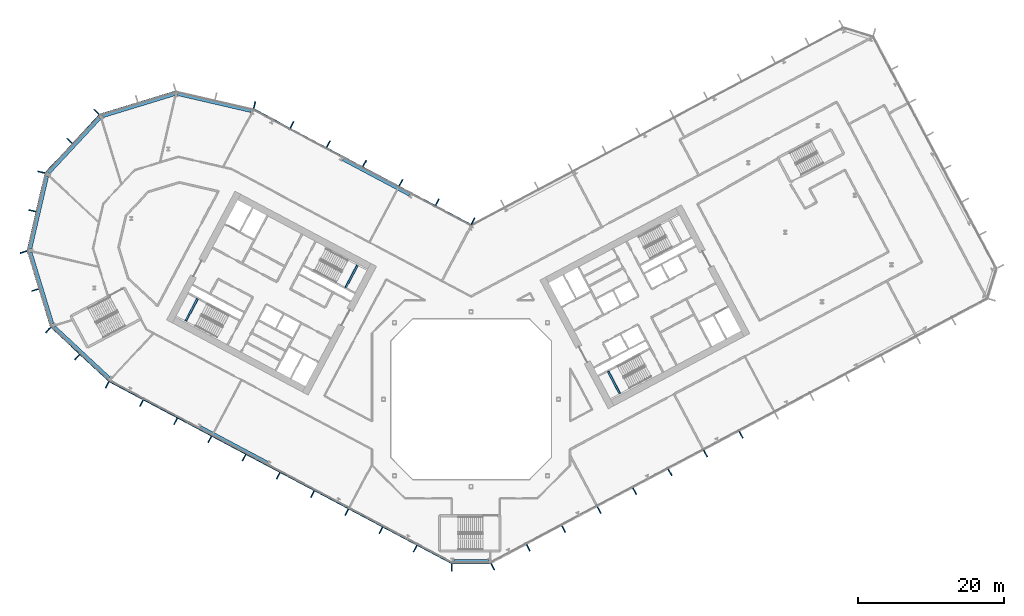
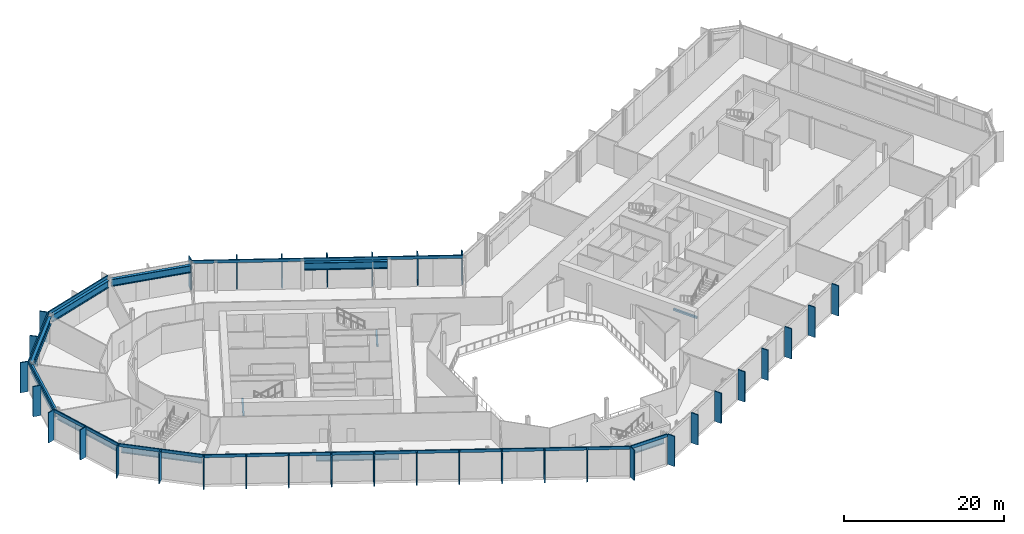
# One storey, part 7 of 30: 42 members, 12 beams, 10 elements without a shape of their own.
"""IFC4 building model written with IfcOpenShell, lengths in metres."""

from ifc_helpers import new_model, si_unit, direction, frame, origin, origin_2d, place, context, subcontext, project, spatial, rectangle, i_section, extrude, material, layer, layer_set, material_profile, profile_set, type_object, element, aggregate, save


model = new_model("IFC4")

# Units and contexts
model_context = context("Model", 3, precision=1e-05, world=origin(), true_north=direction((0.0, 1.0)))
body_context = subcontext(model_context, "Body", "Model", "MODEL_VIEW")
ifc_project = project(units=[si_unit("LENGTHUNIT", "METRE"), si_unit("AREAUNIT", "SQUARE_METRE"), si_unit("VOLUMEUNIT", "CUBIC_METRE"), si_unit("PLANEANGLEUNIT", "RADIAN"), si_unit("MASSUNIT", "GRAM", prefix="KILO")], contexts=[model_context])

# Site, building, storey
site_placement = place(None, origin())
site = spatial("IfcSite", under=ifc_project, at=site_placement, CompositionType="ELEMENT")
building_placement = place(site_placement, origin())
building = spatial("IfcBuilding", under=site, at=building_placement, Name="Cormorant Relay Tower", CompositionType="ELEMENT")
storey_placement = place(building_placement, frame((0.0, 0.0, 89.199951171875)))
storey = spatial("IfcBuildingStorey", under=building, at=storey_placement, Name="L17", CompositionType="ELEMENT", Elevation=89.199951171875)

# Curtain wall, member
ifc_material_1 = material(Name="Aluminium 6063-T6 anodised bronze", Category="aluminium")
ifc_layer = layer(ifc_material_1, 0.199951171875)
ifc_layer_set = layer_set([ifc_layer], Name="CW1 unitised bronze curtain wall with vertical fins")
curtain_wall_type = type_object("IfcCurtainWallType", Name="CW1 unitised bronze curtain wall with vertical fins", PredefinedType="NOTDEFINED", material=ifc_layer_set)
curtain_wall_1_placement = place(storey_placement, origin())
curtain_wall_1 = element("IfcCurtainWall", 1, at=curtain_wall_1_placement, inside=storey, type_object=curtain_wall_type, Name="CW1 curtain wall 1", PredefinedType="NOTDEFINED")
ifc_material_2 = material(Name="Aluminium 6063-T6 anodised bronze", Category="aluminium")
ifc_material_profile_1 = material_profile(ifc_material_2, rectangle(XDim=0.14990234375, YDim=1.0, at=origin_2d()), Name="AL 150x1000")
ifc_profile_set_1 = profile_set([ifc_material_profile_1], Name="Aluminium 6063-T6 anodised bronze")
member_type_1 = type_object("IfcMemberType", Name="CW1 bronze fin mullion 150 x 1000", PredefinedType="MULLION", material=ifc_profile_set_1)
member_1_placement = place(storey_placement, frame((-2.648681640625, -23.07568359375, 0.0), z_axis=(0.0, 0.0, 1.0), x_axis=(1.0, 0.0, 0.0)))
member_1 = element("IfcMember", 2, at=member_1_placement, type_object=member_type_1, Name="CW1 fin 1.1", PredefinedType="MULLION", context=body_context, shape_type="SweptSolid", body=[
    extrude(rectangle(XDim=0.14990234375, YDim=1.0, at=origin_2d()), origin(), (0.0, 0.0, 1.0), 4.60009765625),
])

# Curtain wall, members
curtain_wall_2_placement = place(storey_placement, origin())
curtain_wall_2 = element("IfcCurtainWall", 3, at=curtain_wall_2_placement, inside=storey, type_object=curtain_wall_type, Name="CW1 curtain wall 2", PredefinedType="NOTDEFINED")
member_2_placement = place(storey_placement, frame((2.9775390625, -22.99365234375, 0.0), z_axis=(0.0, 0.0, 1.0), x_axis=(0.882947592859, 0.469471562786, 0.0)))
member_2 = element("IfcMember", 4, at=member_2_placement, type_object=member_type_1, Name="CW1 fin 2.1", PredefinedType="MULLION", context=body_context, shape_type="SweptSolid", body=[
    extrude(rectangle(XDim=0.14990234375, YDim=1.0, at=origin_2d()), origin(), (0.0, 0.0, 1.0), 4.60009765625),
])
member_3_placement = place(storey_placement, frame((7.843994140625, -20.406005859375, 0.0), z_axis=(0.0, 0.0, 1.0), x_axis=(0.882947592859, 0.469471562786, 0.0)))
member_3 = element("IfcMember", 5, at=member_3_placement, type_object=member_type_1, Name="CW1 fin 2.2", PredefinedType="MULLION", context=body_context, shape_type="SweptSolid", body=[
    extrude(rectangle(XDim=0.14990234375, YDim=1.0, at=origin_2d()), origin(), (0.0, 0.0, 1.0), 4.60009765625),
])
member_4_placement = place(storey_placement, frame((12.710693359375, -17.818359375, 0.0), z_axis=(0.0, 0.0, 1.0), x_axis=(0.882947592859, 0.469471562786, 0.0)))
member_4 = element("IfcMember", 6, at=member_4_placement, type_object=member_type_1, Name="CW1 fin 2.3", PredefinedType="MULLION", context=body_context, shape_type="SweptSolid", body=[
    extrude(rectangle(XDim=0.14990234375, YDim=1.0, at=origin_2d()), origin(), (0.0, 0.0, 1.0), 4.60009765625),
])
member_5_placement = place(storey_placement, frame((17.577392578125, -15.230712890625, 0.0), z_axis=(0.0, 0.0, 1.0), x_axis=(0.882947592859, 0.469471562786, 0.0)))
member_5 = element("IfcMember", 7, at=member_5_placement, type_object=member_type_1, Name="CW1 fin 2.4", PredefinedType="MULLION", context=body_context, shape_type="SweptSolid", body=[
    extrude(rectangle(XDim=0.14990234375, YDim=1.0, at=origin_2d()), origin(), (0.0, 0.0, 1.0), 4.60009765625),
])
member_6_placement = place(storey_placement, frame((22.444091796875, -12.64306640625, 0.0), z_axis=(0.0, 0.0, 1.0), x_axis=(0.882947592859, 0.469471562786, 0.0)))
member_6 = element("IfcMember", 8, at=member_6_placement, type_object=member_type_1, Name="CW1 fin 2.5", PredefinedType="MULLION", context=body_context, shape_type="SweptSolid", body=[
    extrude(rectangle(XDim=0.14990234375, YDim=1.0, at=origin_2d()), origin(), (0.0, 0.0, 1.0), 4.60009765625),
])
member_7_placement = place(storey_placement, frame((27.310791015625, -10.055419921875, 0.0), z_axis=(0.0, 0.0, 1.0), x_axis=(0.882947592859, 0.469471562786, 0.0)))
member_7 = element("IfcMember", 9, at=member_7_placement, type_object=member_type_1, Name="CW1 fin 2.6", PredefinedType="MULLION", context=body_context, shape_type="SweptSolid", body=[
    extrude(rectangle(XDim=0.14990234375, YDim=1.0, at=origin_2d()), origin(), (0.0, 0.0, 1.0), 4.60009765625),
])
member_8_placement = place(storey_placement, frame((32.177490234375, -7.4677734375, 0.0), z_axis=(0.0, 0.0, 1.0), x_axis=(0.882947592859, 0.469471562786, 0.0)))
member_8 = element("IfcMember", 10, at=member_8_placement, type_object=member_type_1, Name="CW1 fin 2.7", PredefinedType="MULLION", context=body_context, shape_type="SweptSolid", body=[
    extrude(rectangle(XDim=0.14990234375, YDim=1.0, at=origin_2d()), origin(), (0.0, 0.0, 1.0), 4.60009765625),
])
member_9_placement = place(storey_placement, frame((37.044189453125, -4.8798828125, 0.0), z_axis=(0.0, 0.0, 1.0), x_axis=(0.882947592859, 0.469471562786, 0.0)))
member_9 = element("IfcMember", 11, at=member_9_placement, type_object=member_type_1, Name="CW1 fin 2.8", PredefinedType="MULLION", context=body_context, shape_type="SweptSolid", body=[
    extrude(rectangle(XDim=0.14990234375, YDim=1.0, at=origin_2d()), origin(), (0.0, 0.0, 1.0), 4.60009765625),
])
aggregate(curtain_wall_2, [member_2, member_3, member_4, member_5, member_6, member_7, member_8, member_9])

curtain_wall_3_placement = place(storey_placement, origin())
curtain_wall_3 = element("IfcCurtainWall", 12, at=curtain_wall_3_placement, inside=storey, type_object=curtain_wall_type, Name="CW1 curtain wall 7", PredefinedType="NOTDEFINED")
member_10_placement = place(storey_placement, frame((0.262451171875, 24.437255859375, 0.0), z_axis=(0.0, 0.0, 1.0), x_axis=(-0.882947592859, 0.469471562786, 0.0)))
member_10 = element("IfcMember", 13, at=member_10_placement, type_object=member_type_1, Name="CW1 fin 7.1", PredefinedType="MULLION", context=body_context, shape_type="SweptSolid", body=[
    extrude(rectangle(XDim=0.14990234375, YDim=1.0, at=origin_2d()), origin(), (0.0, 0.0, 1.0), 4.60009765625),
])
member_11_placement = place(storey_placement, frame((-4.650390625, 27.04931640625, 0.0), z_axis=(0.0, 0.0, 1.0), x_axis=(-0.882947592859, 0.469471562786, 0.0)))
member_11 = element("IfcMember", 14, at=member_11_placement, type_object=member_type_1, Name="CW1 fin 7.2", PredefinedType="MULLION", context=body_context, shape_type="SweptSolid", body=[
    extrude(rectangle(XDim=0.14990234375, YDim=1.0, at=origin_2d()), origin(), (0.0, 0.0, 1.0), 4.60009765625),
])
member_12_placement = place(storey_placement, frame((-9.62939453125, 29.69677734375, 0.0), z_axis=(0.0, 0.0, 1.0), x_axis=(-0.882947592859, 0.469471562786, 0.0)))
member_12 = element("IfcMember", 15, at=member_12_placement, type_object=member_type_1, Name="CW1 fin 7.3", PredefinedType="MULLION", context=body_context, shape_type="SweptSolid", body=[
    extrude(rectangle(XDim=0.14990234375, YDim=1.0, at=origin_2d()), origin(), (0.0, 0.0, 1.0), 4.60009765625),
])
member_13_placement = place(storey_placement, frame((-14.608154296875, 32.343994140625, 0.0), z_axis=(0.0, 0.0, 1.0), x_axis=(-0.882947592859, 0.469471562786, 0.0)))
member_13 = element("IfcMember", 16, at=member_13_placement, type_object=member_type_1, Name="CW1 fin 7.4", PredefinedType="MULLION", context=body_context, shape_type="SweptSolid", body=[
    extrude(rectangle(XDim=0.14990234375, YDim=1.0, at=origin_2d()), origin(), (0.0, 0.0, 1.0), 4.60009765625),
])
member_14_placement = place(storey_placement, frame((-19.587158203125, 34.991455078125, 0.0), z_axis=(0.0, 0.0, 1.0), x_axis=(-0.882947592859, 0.469471562786, 0.0)))
member_14 = element("IfcMember", 17, at=member_14_placement, type_object=member_type_1, Name="CW1 fin 7.5", PredefinedType="MULLION", context=body_context, shape_type="SweptSolid", body=[
    extrude(rectangle(XDim=0.14990234375, YDim=1.0, at=origin_2d()), origin(), (0.0, 0.0, 1.0), 4.60009765625),
])
member_15_placement = place(storey_placement, frame((-24.566162109375, 37.638916015625, 0.0), z_axis=(0.0, 0.0, 1.0), x_axis=(-0.882947592859, 0.469471562786, 0.0)))
member_15 = element("IfcMember", 18, at=member_15_placement, type_object=member_type_1, Name="CW1 fin 7.6", PredefinedType="MULLION", context=body_context, shape_type="SweptSolid", body=[
    extrude(rectangle(XDim=0.14990234375, YDim=1.0, at=origin_2d()), origin(), (0.0, 0.0, 1.0), 4.60009765625),
])

# Curtain wall, member
curtain_wall_4_placement = place(storey_placement, origin())
curtain_wall_4 = element("IfcCurtainWall", 19, at=curtain_wall_4_placement, inside=storey, type_object=curtain_wall_type, Name="CW1 curtain wall 8", PredefinedType="NOTDEFINED")
member_16_placement = place(storey_placement, frame((-29.71630859375, 40.35009765625, 0.0), z_axis=(0.0, 0.0, 1.0), x_axis=(-0.974370064785, 0.224951054344, 0.0)))
member_16 = element("IfcMember", 20, at=member_16_placement, type_object=member_type_1, Name="CW1 fin 8.1", PredefinedType="MULLION", context=body_context, shape_type="SweptSolid", body=[
    extrude(rectangle(XDim=0.14990234375, YDim=1.0, at=origin_2d()), origin(), (0.0, 0.0, 1.0), 4.60009765625),
])
aggregate(curtain_wall_4, [member_16])

# Curtain wall, members
curtain_wall_5_placement = place(storey_placement, origin())
curtain_wall_5 = element("IfcCurtainWall", 21, at=curtain_wall_5_placement, inside=storey, type_object=curtain_wall_type, Name="CW1 curtain wall 10", PredefinedType="NOTDEFINED")
member_17_placement = place(storey_placement, frame((-51.372802734375, 39.41259765625, 0.0), z_axis=(0.0, 0.0, 1.0), x_axis=(-0.681998360062, -0.731353701619, 0.0)))
member_17 = element("IfcMember", 22, at=member_17_placement, type_object=member_type_1, Name="CW1 fin 10.1", PredefinedType="MULLION", context=body_context, shape_type="SweptSolid", body=[
    extrude(rectangle(XDim=0.14990234375, YDim=1.0, at=origin_2d()), origin(), (0.0, 0.0, 1.0), 4.60009765625),
])
member_18_placement = place(storey_placement, frame((-55.07958984375, 35.4375, 0.0), z_axis=(0.0, 0.0, 1.0), x_axis=(-0.681998360062, -0.731353701619, 0.0)))
member_18 = element("IfcMember", 23, at=member_18_placement, type_object=member_type_1, Name="CW1 fin 10.2", PredefinedType="MULLION", context=body_context, shape_type="SweptSolid", body=[
    extrude(rectangle(XDim=0.14990234375, YDim=1.0, at=origin_2d()), origin(), (0.0, 0.0, 1.0), 4.60009765625),
])

curtain_wall_6_placement = place(storey_placement, origin())
curtain_wall_6 = element("IfcCurtainWall", 24, at=curtain_wall_6_placement, inside=storey, type_object=curtain_wall_type, Name="CW1 curtain wall 11", PredefinedType="NOTDEFINED")
member_19_placement = place(storey_placement, frame((-58.95654296875, 31.142578125, 0.0), z_axis=(0.0, 0.0, 1.0), x_axis=(-0.224951054344, -0.974370064785, 0.0)))
member_19 = element("IfcMember", 25, at=member_19_placement, type_object=member_type_1, Name="CW1 fin 11.1", PredefinedType="MULLION", context=body_context, shape_type="SweptSolid", body=[
    extrude(rectangle(XDim=0.14990234375, YDim=1.0, at=origin_2d()), origin(), (0.0, 0.0, 1.0), 4.60009765625),
])
member_20_placement = place(storey_placement, frame((-60.17919921875, 25.8466796875, 0.0), z_axis=(0.0, 0.0, 1.0), x_axis=(-0.224951054344, -0.974370064785, 0.0)))
member_20 = element("IfcMember", 26, at=member_20_placement, type_object=member_type_1, Name="CW1 fin 11.2", PredefinedType="MULLION", context=body_context, shape_type="SweptSolid", body=[
    extrude(rectangle(XDim=0.14990234375, YDim=1.0, at=origin_2d()), origin(), (0.0, 0.0, 1.0), 4.60009765625),
])

curtain_wall_7_placement = place(storey_placement, origin())
curtain_wall_7 = element("IfcCurtainWall", 27, at=curtain_wall_7_placement, inside=storey, type_object=curtain_wall_type, Name="CW1 curtain wall 12", PredefinedType="NOTDEFINED")
member_21_placement = place(storey_placement, frame((-61.389404296875, 20.188720703125, 0.0), z_axis=(0.0, 0.0, 1.0), x_axis=(0.292371704723, -0.956304755963, 0.0)))
member_21 = element("IfcMember", 28, at=member_21_placement, type_object=member_type_1, Name="CW1 fin 12.1", PredefinedType="MULLION", context=body_context, shape_type="SweptSolid", body=[
    extrude(rectangle(XDim=0.14990234375, YDim=1.0, at=origin_2d()), origin(), (0.0, 0.0, 1.0), 4.60009765625),
])
member_22_placement = place(storey_placement, frame((-59.80029296875, 14.990966796875, 0.0), z_axis=(0.0, 0.0, 1.0), x_axis=(0.292371704723, -0.956304755963, 0.0)))
member_22 = element("IfcMember", 29, at=member_22_placement, type_object=member_type_1, Name="CW1 fin 12.2", PredefinedType="MULLION", context=body_context, shape_type="SweptSolid", body=[
    extrude(rectangle(XDim=0.14990234375, YDim=1.0, at=origin_2d()), origin(), (0.0, 0.0, 1.0), 4.60009765625),
])

curtain_wall_8_placement = place(storey_placement, origin())
curtain_wall_8 = element("IfcCurtainWall", 30, at=curtain_wall_8_placement, inside=storey, type_object=curtain_wall_type, Name="CW1 curtain wall 13", PredefinedType="NOTDEFINED")
member_23_placement = place(storey_placement, frame((-58.01904296875, 9.486083984375, 0.0), z_axis=(0.0, 0.0, 1.0), x_axis=(0.731353701619, -0.681998360062, 0.0)))
member_23 = element("IfcMember", 31, at=member_23_placement, type_object=member_type_1, Name="CW1 fin 13.1", PredefinedType="MULLION", context=body_context, shape_type="SweptSolid", body=[
    extrude(rectangle(XDim=0.14990234375, YDim=1.0, at=origin_2d()), origin(), (0.0, 0.0, 1.0), 4.60009765625),
])
member_24_placement = place(storey_placement, frame((-54.0439453125, 5.779296875, 0.0), z_axis=(0.0, 0.0, 1.0), x_axis=(0.731353701619, -0.681998360062, 0.0)))
member_24 = element("IfcMember", 32, at=member_24_placement, type_object=member_type_1, Name="CW1 fin 13.2", PredefinedType="MULLION", context=body_context, shape_type="SweptSolid", body=[
    extrude(rectangle(XDim=0.14990234375, YDim=1.0, at=origin_2d()), origin(), (0.0, 0.0, 1.0), 4.60009765625),
])

curtain_wall_9_placement = place(storey_placement, origin())
curtain_wall_9 = element("IfcCurtainWall", 33, at=curtain_wall_9_placement, inside=storey, type_object=curtain_wall_type, Name="CW1 curtain wall 14", PredefinedType="NOTDEFINED")
member_25_placement = place(storey_placement, frame((-49.920166015625, 1.96630859375, 0.0), z_axis=(0.0, 0.0, 1.0), x_axis=(0.882947592859, -0.469471562786, 0.0)))
member_25 = element("IfcMember", 34, at=member_25_placement, type_object=member_type_1, Name="CW1 fin 14.1", PredefinedType="MULLION", context=body_context, shape_type="SweptSolid", body=[
    extrude(rectangle(XDim=0.14990234375, YDim=1.0, at=origin_2d()), origin(), (0.0, 0.0, 1.0), 4.60009765625),
])
member_26_placement = place(storey_placement, frame((-45.225830078125, -0.52978515625, 0.0), z_axis=(0.0, 0.0, 1.0), x_axis=(0.882947592859, -0.469471562786, 0.0)))
member_26 = element("IfcMember", 35, at=member_26_placement, type_object=member_type_1, Name="CW1 fin 14.2", PredefinedType="MULLION", context=body_context, shape_type="SweptSolid", body=[
    extrude(rectangle(XDim=0.14990234375, YDim=1.0, at=origin_2d()), origin(), (0.0, 0.0, 1.0), 4.60009765625),
])
member_27_placement = place(storey_placement, frame((-40.531494140625, -3.025634765625, 0.0), z_axis=(0.0, 0.0, 1.0), x_axis=(0.882947592859, -0.469471562786, 0.0)))
member_27 = element("IfcMember", 36, at=member_27_placement, type_object=member_type_1, Name="CW1 fin 14.3", PredefinedType="MULLION", context=body_context, shape_type="SweptSolid", body=[
    extrude(rectangle(XDim=0.14990234375, YDim=1.0, at=origin_2d()), origin(), (0.0, 0.0, 1.0), 4.60009765625),
])
member_28_placement = place(storey_placement, frame((-35.83740234375, -5.521728515625, 0.0), z_axis=(0.0, 0.0, 1.0), x_axis=(0.882947592859, -0.469471562786, 0.0)))
member_28 = element("IfcMember", 37, at=member_28_placement, type_object=member_type_1, Name="CW1 fin 14.4", PredefinedType="MULLION", context=body_context, shape_type="SweptSolid", body=[
    extrude(rectangle(XDim=0.14990234375, YDim=1.0, at=origin_2d()), origin(), (0.0, 0.0, 1.0), 4.60009765625),
])
member_29_placement = place(storey_placement, frame((-31.14306640625, -8.017578125, 0.0), z_axis=(0.0, 0.0, 1.0), x_axis=(0.882947592859, -0.469471562786, 0.0)))
member_29 = element("IfcMember", 38, at=member_29_placement, type_object=member_type_1, Name="CW1 fin 14.5", PredefinedType="MULLION", context=body_context, shape_type="SweptSolid", body=[
    extrude(rectangle(XDim=0.14990234375, YDim=1.0, at=origin_2d()), origin(), (0.0, 0.0, 1.0), 4.60009765625),
])
member_30_placement = place(storey_placement, frame((-26.44873046875, -10.513671875, 0.0), z_axis=(0.0, 0.0, 1.0), x_axis=(0.882947592859, -0.469471562786, 0.0)))
member_30 = element("IfcMember", 39, at=member_30_placement, type_object=member_type_1, Name="CW1 fin 14.6", PredefinedType="MULLION", context=body_context, shape_type="SweptSolid", body=[
    extrude(rectangle(XDim=0.14990234375, YDim=1.0, at=origin_2d()), origin(), (0.0, 0.0, 1.0), 4.60009765625),
])
member_31_placement = place(storey_placement, frame((-21.754638671875, -13.009765625, 0.0), z_axis=(0.0, 0.0, 1.0), x_axis=(0.882947592859, -0.469471562786, 0.0)))
member_31 = element("IfcMember", 40, at=member_31_placement, type_object=member_type_1, Name="CW1 fin 14.7", PredefinedType="MULLION", context=body_context, shape_type="SweptSolid", body=[
    extrude(rectangle(XDim=0.14990234375, YDim=1.0, at=origin_2d()), origin(), (0.0, 0.0, 1.0), 4.60009765625),
])
member_32_placement = place(storey_placement, frame((-17.060302734375, -15.505615234375, 0.0), z_axis=(0.0, 0.0, 1.0), x_axis=(0.882947592859, -0.469471562786, 0.0)))
member_32 = element("IfcMember", 41, at=member_32_placement, type_object=member_type_1, Name="CW1 fin 14.8", PredefinedType="MULLION", context=body_context, shape_type="SweptSolid", body=[
    extrude(rectangle(XDim=0.14990234375, YDim=1.0, at=origin_2d()), origin(), (0.0, 0.0, 1.0), 4.60009765625),
])
member_33_placement = place(storey_placement, frame((-12.365966796875, -18.001708984375, 0.0), z_axis=(0.0, 0.0, 1.0), x_axis=(0.882947592859, -0.469471562786, 0.0)))
member_33 = element("IfcMember", 42, at=member_33_placement, type_object=member_type_1, Name="CW1 fin 14.9", PredefinedType="MULLION", context=body_context, shape_type="SweptSolid", body=[
    extrude(rectangle(XDim=0.14990234375, YDim=1.0, at=origin_2d()), origin(), (0.0, 0.0, 1.0), 4.60009765625),
])
member_34_placement = place(storey_placement, frame((-7.671630859375, -20.49755859375, 0.0), z_axis=(0.0, 0.0, 1.0), x_axis=(0.882947592859, -0.469471562786, 0.0)))
member_34 = element("IfcMember", 43, at=member_34_placement, type_object=member_type_1, Name="CW1 fin 14.10", PredefinedType="MULLION", context=body_context, shape_type="SweptSolid", body=[
    extrude(rectangle(XDim=0.14990234375, YDim=1.0, at=origin_2d()), origin(), (0.0, 0.0, 1.0), 4.60009765625),
])

# Member
ifc_material_3 = material(Name="Aluminium 6063-T6 anodised bronze", Category="aluminium")
ifc_material_profile_2 = material_profile(ifc_material_3, rectangle(XDim=0.159912109375, YDim=0.449951171875, at=origin_2d()), Name="AL 160x450")
ifc_profile_set_2 = profile_set([ifc_material_profile_2], Name="Aluminium 6063-T6 anodised bronze")
member_type_2 = type_object("IfcMemberType", Name="CW1 bronze transom 160 x 450", PredefinedType="USERDEFINED", material=ifc_profile_set_2)
member_35_placement = place(storey_placement, frame((-2.648681640625, -22.49560546875, 4.375), z_axis=(1.0, 0.0, 0.0), x_axis=(0.0, 1.0, 0.0)))
member_35 = element("IfcMember", 44, at=member_35_placement, type_object=member_type_2, Name="CW1 transom 1", ObjectType="TRANSOM", PredefinedType="USERDEFINED", context=body_context, shape_type="SweptSolid", body=[
    extrude(rectangle(XDim=0.159912109375, YDim=0.449951171875, at=origin_2d()), origin(), (0.0, 0.0, 1.0), 5.29736328125),
])

aggregate(curtain_wall_1, [member_1, member_35])

member_36_placement = place(storey_placement, frame((0.056396484375, 23.889892578125, 4.375), z_axis=(-0.882946280328, 0.46947403129, 0.0), x_axis=(-0.46947403129, -0.882946280328, 0.0)))
member_36 = element("IfcMember", 45, at=member_36_placement, type_object=member_type_2, Name="CW1 transom 7", ObjectType="TRANSOM", PredefinedType="USERDEFINED", context=body_context, shape_type="SweptSolid", body=[
    extrude(rectangle(XDim=0.159912109375, YDim=0.449951171875, at=origin_2d()), origin(), (0.0, 0.0, 1.0), 33.834228515625),
])

aggregate(curtain_wall_3, [member_10, member_11, member_12, member_13, member_14, member_15, member_36])

# Curtain wall, member
curtain_wall_10_placement = place(storey_placement, origin())
curtain_wall_10 = element("IfcCurtainWall", 46, at=curtain_wall_10_placement, inside=storey, type_object=curtain_wall_type, Name="CW1 curtain wall 9", PredefinedType="NOTDEFINED")
member_37_placement = place(storey_placement, frame((-40.50048828125, 42.228271484375, 4.375), z_axis=(-0.956304833932, -0.292371449698, 0.0), x_axis=(0.292371449698, -0.956304833932, 0.0)))
member_37 = element("IfcMember", 47, at=member_37_placement, type_object=member_type_2, Name="CW1 transom 9", ObjectType="TRANSOM", PredefinedType="USERDEFINED", context=body_context, shape_type="SweptSolid", body=[
    extrude(rectangle(XDim=0.159912109375, YDim=0.449951171875, at=origin_2d()), origin(), (0.0, 0.0, 1.0), 10.87060546875),
])
aggregate(curtain_wall_10, [member_37])

# Member
member_38_placement = place(storey_placement, frame((-50.94873046875, 39.01708984375, 4.375), z_axis=(-0.681993299437, -0.731358420696, 0.0), x_axis=(0.731358420696, -0.681993299437, 0.0)))
member_38 = element("IfcMember", 48, at=member_38_placement, type_object=member_type_2, Name="CW1 transom 10", ObjectType="TRANSOM", PredefinedType="USERDEFINED", context=body_context, shape_type="SweptSolid", body=[
    extrude(rectangle(XDim=0.159912109375, YDim=0.449951171875, at=origin_2d()), origin(), (0.0, 0.0, 1.0), 10.870361328125),
])

aggregate(curtain_wall_5, [member_17, member_18, member_38])

member_39_placement = place(storey_placement, frame((-58.3916015625, 31.01220703125, 4.375), z_axis=(-0.22495136131, -0.974369993916, 0.0), x_axis=(0.974369993916, -0.22495136131, 0.0)))
member_39 = element("IfcMember", 49, at=member_39_placement, type_object=member_type_2, Name="CW1 transom 11", ObjectType="TRANSOM", PredefinedType="USERDEFINED", context=body_context, shape_type="SweptSolid", body=[
    extrude(rectangle(XDim=0.159912109375, YDim=0.449951171875, at=origin_2d()), origin(), (0.0, 0.0, 1.0), 10.870361328125),
])

aggregate(curtain_wall_6, [member_19, member_20, member_39])

member_40_placement = place(storey_placement, frame((-60.834716796875, 20.358154296875, 4.375), z_axis=(0.292377729282, -0.95630291405, 0.0), x_axis=(0.95630291405, 0.292377729282, 0.0)))
member_40 = element("IfcMember", 50, at=member_40_placement, type_object=member_type_2, Name="CW1 transom 12", ObjectType="TRANSOM", PredefinedType="USERDEFINED", context=body_context, shape_type="SweptSolid", body=[
    extrude(rectangle(XDim=0.159912109375, YDim=0.449951171875, at=origin_2d()), origin(), (0.0, 0.0, 1.0), 10.870361328125),
])

aggregate(curtain_wall_7, [member_21, member_22, member_40])

member_41_placement = place(storey_placement, frame((-57.62353515625, 9.91015625, 4.375), z_axis=(0.731358420696, -0.681993299437, 0.0), x_axis=(0.681993299437, 0.731358420696, 0.0)))
member_41 = element("IfcMember", 51, at=member_41_placement, type_object=member_type_2, Name="CW1 transom 13", ObjectType="TRANSOM", PredefinedType="USERDEFINED", context=body_context, shape_type="SweptSolid", body=[
    extrude(rectangle(XDim=0.159912109375, YDim=0.449951171875, at=origin_2d()), origin(), (0.0, 0.0, 1.0), 10.870361328125),
])

aggregate(curtain_wall_8, [member_23, member_24, member_41])

member_42_placement = place(storey_placement, frame((-49.64794921875, 2.478515625, 4.375), z_axis=(0.882947642542, -0.469471469346, 0.0), x_axis=(0.469471469346, 0.882947642542, 0.0)))
member_42 = element("IfcMember", 52, at=member_42_placement, type_object=member_type_2, Name="CW1 transom 14", ObjectType="TRANSOM", PredefinedType="USERDEFINED", context=body_context, shape_type="SweptSolid", body=[
    extrude(rectangle(XDim=0.159912109375, YDim=0.449951171875, at=origin_2d()), origin(), (0.0, 0.0, 1.0), 53.166015625),
])

aggregate(curtain_wall_9, [member_25, member_26, member_27, member_28, member_29, member_30, member_31, member_32, member_33, member_34, member_42])

# Beams
ifc_material_4 = material(Name="Steel ASTM A992 (Fy 345 MPa)", Category="steel")
ifc_material_profile_3 = material_profile(ifc_material_4, i_section(OverallWidth=0.40380859375, OverallDepth=1.11767578125, WebThickness=0.026123046875, FlangeThickness=0.044921875, FilletRadius=0.02001953125, at=origin_2d()), Name="W1100x499")
ifc_profile_set_3 = profile_set([ifc_material_profile_3], Name="Steel ASTM A992 (Fy 345 MPa)")
beam_type_1 = type_object("IfcBeamType", Name="Spandrel W1100x499", PredefinedType="SPANDREL", material=ifc_profile_set_3)
beam_1_placement = place(storey_placement, frame((-2.3486328125, -22.173583984375, 3.641357421875), z_axis=(1.0, 0.0, 0.0), x_axis=(0.0, 1.0, 0.0)))
element("IfcBeam", 53, at=beam_1_placement, inside=storey, type_object=beam_type_1, Name="Spandrel beam L17-001", PredefinedType="SPANDREL", context=body_context, shape_type="SweptSolid", body=[
    extrude(i_section(OverallWidth=0.40380859375, OverallDepth=1.11767578125, WebThickness=0.026123046875, FlangeThickness=0.044921875, FilletRadius=0.02001953125, at=origin_2d()), origin(), (0.0, 0.0, 1.0), 4.736083984375),
])
beam_2_placement = place(storey_placement, frame((-8.435302734375, 28.040283203125, 3.641357421875), z_axis=(-0.882946891921, 0.469472881056, 0.0), x_axis=(-0.469472881056, -0.882946891921, 0.0)))
element("IfcBeam", 54, at=beam_2_placement, inside=storey, type_object=beam_type_1, Name="Spandrel beam L17-007", PredefinedType="SPANDREL", context=body_context, shape_type="SweptSolid", body=[
    extrude(i_section(OverallWidth=0.40380859375, OverallDepth=1.11767578125, WebThickness=0.026123046875, FlangeThickness=0.044921875, FilletRadius=0.02001953125, at=origin_2d()), origin(), (0.0, 0.0, 1.0), 10.376220703125),
])
beam_3_placement = place(storey_placement, frame((-30.171142578125, 39.529541015625, 3.641357421875), z_axis=(-0.974368523335, 0.224957730996, 0.0), x_axis=(-0.224957730996, -0.974368523335, 0.0)))
element("IfcBeam", 55, at=beam_3_placement, inside=storey, type_object=beam_type_1, Name="Spandrel beam L17-008", PredefinedType="SPANDREL", context=body_context, shape_type="SweptSolid", body=[
    extrude(i_section(OverallWidth=0.40380859375, OverallDepth=1.11767578125, WebThickness=0.026123046875, FlangeThickness=0.044921875, FilletRadius=0.02001953125, at=origin_2d()), origin(), (0.0, 0.0, 1.0), 10.346923828125),
])
beam_4_placement = place(storey_placement, frame((-40.70166015625, 41.830078125, 3.641357421875), z_axis=(-0.956304442866, -0.292372728814, 0.0), x_axis=(0.292372728814, -0.956304442866, 0.0)))
element("IfcBeam", 56, at=beam_4_placement, inside=storey, type_object=beam_type_1, Name="Spandrel beam L17-009", PredefinedType="SPANDREL", context=body_context, shape_type="SweptSolid", body=[
    extrude(i_section(OverallWidth=0.40380859375, OverallDepth=1.11767578125, WebThickness=0.026123046875, FlangeThickness=0.044921875, FilletRadius=0.02001953125, at=origin_2d()), origin(), (0.0, 0.0, 1.0), 10.297607421875),
])
for number, where, z_axis, x_axis, name in (
    (57, (-50.924072265625, 38.571533203125, 3.641357421875), (-0.681993790146, -0.731357963108, 0.0), (0.731357963108, -0.681993790146, 0.0), "Spandrel beam L17-010"),
    (58, (-58.147216796875, 30.638671875, 3.641357421875), (-0.224939161738, -0.974372810333, 0.0), (0.974372810333, -0.224939161738, 0.0), "Spandrel beam L17-011"),
):
    element("IfcBeam", number, at=place(storey_placement, frame(where, z_axis=z_axis, x_axis=x_axis)), inside=storey, type_object=beam_type_1, Name=name, PredefinedType="SPANDREL", context=body_context, shape_type="SweptSolid", body=[
        extrude(i_section(OverallWidth=0.40380859375, OverallDepth=1.11767578125, WebThickness=0.026123046875, FlangeThickness=0.044921875, FilletRadius=0.02001953125, at=origin_2d()), origin(), (0.0, 0.0, 1.0), 10.296875),
    ])
beam_5_placement = place(storey_placement, frame((-60.4365234375, 20.1572265625, 3.641357421875), z_axis=(0.292372728814, -0.956304442866, 0.0), x_axis=(0.956304442866, 0.292372728814, 0.0)))
element("IfcBeam", 59, at=beam_5_placement, inside=storey, type_object=beam_type_1, Name="Spandrel beam L17-012", PredefinedType="SPANDREL", context=body_context, shape_type="SweptSolid", body=[
    extrude(i_section(OverallWidth=0.40380859375, OverallDepth=1.11767578125, WebThickness=0.026123046875, FlangeThickness=0.044921875, FilletRadius=0.02001953125, at=origin_2d()), origin(), (0.0, 0.0, 1.0), 10.297607421875),
])
beam_6_placement = place(storey_placement, frame((-57.177734375, 9.934814453125, 3.641357421875), z_axis=(0.731345431457, -0.682007228617, 0.0), x_axis=(0.682007228617, 0.731345431457, 0.0)))
element("IfcBeam", 60, at=beam_6_placement, inside=storey, type_object=beam_type_1, Name="Spandrel beam L17-013", PredefinedType="SPANDREL", context=body_context, shape_type="SweptSolid", body=[
    extrude(i_section(OverallWidth=0.40380859375, OverallDepth=1.11767578125, WebThickness=0.026123046875, FlangeThickness=0.044921875, FilletRadius=0.02001953125, at=origin_2d()), origin(), (0.0, 0.0, 1.0), 10.322265625),
])
beam_7_placement = place(storey_placement, frame((-37.124755859375, -3.815673828125, 3.641357421875), z_axis=(0.882946891921, -0.469472881056, 0.0), x_axis=(0.469472881056, 0.882946891921, 0.0)))
element("IfcBeam", 61, at=beam_7_placement, inside=storey, type_object=beam_type_1, Name="Spandrel beam L17-014", PredefinedType="SPANDREL", context=body_context, shape_type="SweptSolid", body=[
    extrude(i_section(OverallWidth=0.40380859375, OverallDepth=1.11767578125, WebThickness=0.026123046875, FlangeThickness=0.044921875, FilletRadius=0.02001953125, at=origin_2d()), origin(), (0.0, 0.0, 1.0), 10.376220703125),
])
ifc_material_5 = material(Name="Concrete 50 MPa", Category="concrete")
ifc_material_profile_4 = material_profile(ifc_material_5, rectangle(XDim=0.25, YDim=0.300048828125, at=origin_2d()), Name="RC 250x300")
ifc_profile_set_4 = profile_set([ifc_material_profile_4], Name="Concrete 50 MPa")
beam_type_2 = type_object("IfcBeamType", Name="Stair landing ledge beam 250x300", PredefinedType="BEAM", material=ifc_profile_set_4)
beam_8_placement = place(storey_placement, frame((-17.215087890625, 15.325927734375, 1.949951171875), z_axis=(0.469519084434, 0.88292232351, 0.0), x_axis=(-0.88292232351, 0.469519084434, 0.0)))
element("IfcBeam", 62, at=beam_8_placement, inside=storey, type_object=beam_type_2, Name="A1 landing ledge beam", PredefinedType="BEAM", context=body_context, shape_type="SweptSolid", body=[
    extrude(rectangle(XDim=0.25, YDim=0.300048828125, at=origin_2d()), origin(), (0.0, 0.0, 1.0), 3.449951171875),
])
for number, where, z_axis, x_axis, name in (
    (63, (-37.52783203125, 13.781494140625, 1.949951171875), (-0.469434585424, -0.882967253078, 0.0), (0.882967253078, -0.469434585424, 0.0), "A2 landing ledge beam"),
    (64, (18.80029296875, 3.823974609375, 1.949951171875), (0.469489750874, -0.88293792184, 0.0), (0.88293792184, 0.469489750874, 0.0), "B1 landing ledge beam"),
):
    element("IfcBeam", number, at=place(storey_placement, frame(where, z_axis=z_axis, x_axis=x_axis)), inside=storey, type_object=beam_type_2, Name=name, PredefinedType="BEAM", context=body_context, shape_type="SweptSolid", body=[
        extrude(rectangle(XDim=0.25, YDim=0.300048828125, at=origin_2d()), origin(), (0.0, 0.0, 1.0), 3.4501953125),
    ])

save(model, "model.ifc")
